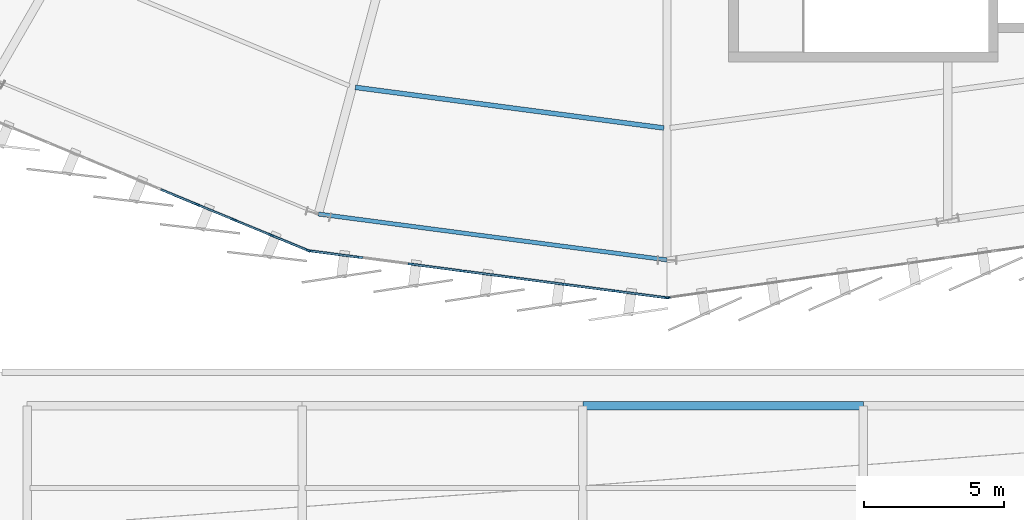
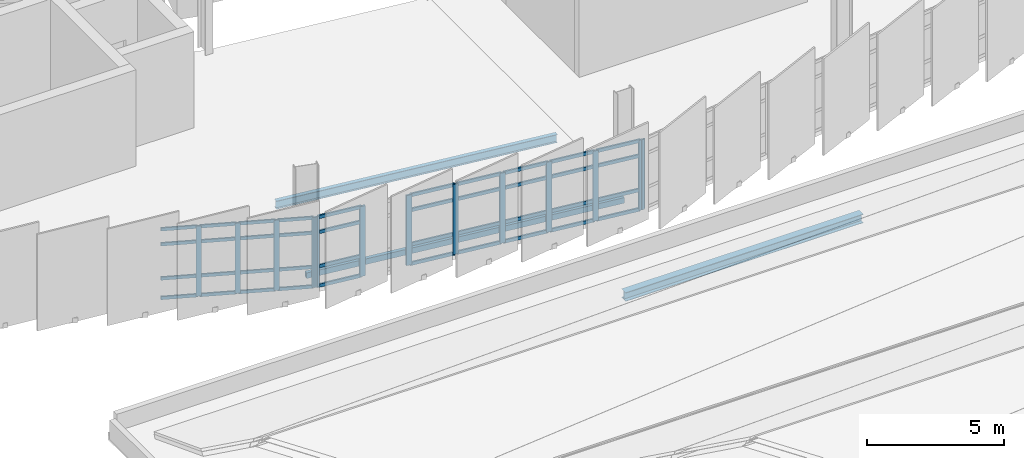
# One storey, part 13 of 67: 53 members, 3 beams, 3 elements without a shape of their own.
"""IFC4 building model written with IfcOpenShell, lengths in metres."""

from ifc_helpers import new_model, si_unit, direction, frame, origin, origin_2d, place, context, subcontext, project, spatial, rectangle, hollow_rectangle, i_section, extrude, material, layer, layer_set, material_profile, profile_set, type_object, element, aggregate, save


model = new_model("IFC4")

# Units and contexts
model_context = context("Model", 3, precision=1e-05, world=origin(), true_north=direction((0.0, 1.0)))
body_context = subcontext(model_context, "Body", "Model", "MODEL_VIEW")
ifc_project = project(units=[si_unit("LENGTHUNIT", "METRE"), si_unit("AREAUNIT", "SQUARE_METRE"), si_unit("VOLUMEUNIT", "CUBIC_METRE"), si_unit("PLANEANGLEUNIT", "RADIAN"), si_unit("MASSUNIT", "GRAM", prefix="KILO")], contexts=[model_context])

# Site, building, storey
site_placement = place(None, origin())
site = spatial("IfcSite", under=ifc_project, at=site_placement, CompositionType="ELEMENT")
building_placement = place(site_placement, origin())
building = spatial("IfcBuilding", under=site, at=building_placement, Name="Sohan Crest Arena", CompositionType="ELEMENT")
storey_placement = place(building_placement, frame((0.0, 0.0, 22.5)))
storey = spatial("IfcBuildingStorey", under=building, at=storey_placement, Name="L05", CompositionType="ELEMENT", Elevation=22.5)

# Curtain wall, member
ifc_material_1 = material(Name="Thermally broken anodised aluminium", Category="aluminium")
ifc_layer_1 = layer(ifc_material_1, 0.179931640625, Name="Thermally broken anodised aluminium")
ifc_layer_set_1 = layer_set([ifc_layer_1], Name="Thermally broken anodised aluminium")
curtain_wall_type_1 = type_object("IfcCurtainWallType", Name="ARC-CW01", PredefinedType="NOTDEFINED", material=ifc_layer_set_1)
curtain_wall_1_placement = place(storey_placement, origin())
curtain_wall_1 = element("IfcCurtainWall", 1, at=curtain_wall_1_placement, inside=storey, type_object=curtain_wall_type_1, Name="Unitised curtain wall CW-158", PredefinedType="NOTDEFINED")
ifc_material_profile_1 = material_profile(ifc_material_1, rectangle(XDim=0.06005859375, YDim=0.159912109375, at=origin_2d()), Name="ALU-MULL 60x160")
ifc_profile_set_1 = profile_set([ifc_material_profile_1], Name="Thermally broken anodised aluminium")
member_type_1 = type_object("IfcMemberType", Name="ARC-CW-ML01", PredefinedType="MULLION", material=ifc_profile_set_1)
member_1_placement = place(storey_placement, frame((98.02978515625, 28.654296875, 0.0), z_axis=(0.0, 0.0, 1.0), x_axis=(-0.141462933734, 0.989943553128, 0.0)))
member_1 = element("IfcMember", 2, at=member_1_placement, type_object=member_type_1, Name="CW-158 mullion 1", PredefinedType="MULLION", context=body_context, shape_type="SweptSolid", body=[
    extrude(rectangle(XDim=0.06005859375, YDim=0.159912109375, at=origin_2d()), origin(), (0.0, 0.0, 1.0), 3.1201171875),
])
aggregate(curtain_wall_1, [member_1])

# Curtain wall, members
ifc_layer_2 = layer(ifc_material_1, 0.18994140625, Name="Thermally broken anodised aluminium")
ifc_layer_set_2 = layer_set([ifc_layer_2], Name="Thermally broken anodised aluminium")
curtain_wall_type_2 = type_object("IfcCurtainWallType", Name="ARC-CW05", PredefinedType="NOTDEFINED", material=ifc_layer_set_2)
curtain_wall_2_placement = place(storey_placement, origin())
curtain_wall_2 = element("IfcCurtainWall", 3, at=curtain_wall_2_placement, inside=storey, type_object=curtain_wall_type_2, Name="Unitised curtain wall CW-156", PredefinedType="NOTDEFINED")
ifc_material_profile_2 = material_profile(ifc_material_1, rectangle(XDim=0.070068359375, YDim=0.199951171875, at=origin_2d()), Name="ALU-MULL 70x200")
ifc_profile_set_2 = profile_set([ifc_material_profile_2], Name="Thermally broken anodised aluminium")
member_type_2 = type_object("IfcMemberType", Name="ARC-CW-ML03", PredefinedType="MULLION", material=ifc_profile_set_2)
member_2_placement = place(storey_placement, frame((81.259765625, 31.975341796875, 0.0), z_axis=(0.0, 0.0, 1.0), x_axis=(0.382685432009, 0.923878704229, 0.0)))
member_2 = element("IfcMember", 4, at=member_2_placement, type_object=member_type_2, Name="CW-156 mullion 7", PredefinedType="MULLION", context=body_context, shape_type="SweptSolid", body=[
    extrude(rectangle(XDim=0.070068359375, YDim=0.199951171875, at=origin_2d()), origin(), (0.0, 0.0, 1.0), 3.1201171875),
])
member_3_placement = place(storey_placement, frame((82.58203125, 31.427490234375, 0.0), z_axis=(0.0, 0.0, 1.0), x_axis=(0.382685432009, 0.923878704229, 0.0)))
member_3 = element("IfcMember", 5, at=member_3_placement, type_object=member_type_2, Name="CW-156 mullion 8", PredefinedType="MULLION", context=body_context, shape_type="SweptSolid", body=[
    extrude(rectangle(XDim=0.070068359375, YDim=0.199951171875, at=origin_2d()), origin(), (0.0, 0.0, 1.0), 3.1201171875),
])
member_4_placement = place(storey_placement, frame((83.904541015625, 30.8798828125, 0.0), z_axis=(0.0, 0.0, 1.0), x_axis=(0.382685432009, 0.923878704229, 0.0)))
member_4 = element("IfcMember", 6, at=member_4_placement, type_object=member_type_2, Name="CW-156 mullion 9", PredefinedType="MULLION", context=body_context, shape_type="SweptSolid", body=[
    extrude(rectangle(XDim=0.070068359375, YDim=0.199951171875, at=origin_2d()), origin(), (0.0, 0.0, 1.0), 3.1201171875),
])
member_5_placement = place(storey_placement, frame((85.194580078125, 30.345458984375, 0.0), z_axis=(0.0, 0.0, 1.0), x_axis=(0.382685432009, 0.923878704229, 0.0)))
member_5 = element("IfcMember", 7, at=member_5_placement, type_object=member_type_2, Name="CW-156 mullion 10", PredefinedType="MULLION", context=body_context, shape_type="SweptSolid", body=[
    extrude(rectangle(XDim=0.070068359375, YDim=0.199951171875, at=origin_2d()), origin(), (0.0, 0.0, 1.0), 3.1201171875),
])

ifc_layer_3 = layer(ifc_material_1, 0.2099609375, Name="Thermally broken anodised aluminium")
ifc_layer_set_3 = layer_set([ifc_layer_3], Name="Thermally broken anodised aluminium")
curtain_wall_type_3 = type_object("IfcCurtainWallType", Name="ARC-CW06", PredefinedType="NOTDEFINED", material=ifc_layer_set_3)
curtain_wall_3_placement = place(storey_placement, origin())
curtain_wall_3 = element("IfcCurtainWall", 8, at=curtain_wall_3_placement, inside=storey, type_object=curtain_wall_type_3, Name="Unitised curtain wall CW-157", PredefinedType="NOTDEFINED")
ifc_material_profile_3 = material_profile(ifc_material_1, rectangle(XDim=0.074951171875, YDim=0.219970703125, at=origin_2d()), Name="ALU-MULL 75x220")
ifc_profile_set_3 = profile_set([ifc_material_profile_3], Name="Thermally broken anodised aluminium")
member_type_3 = type_object("IfcMemberType", Name="ARC-CW-ML04", PredefinedType="MULLION", material=ifc_profile_set_3)
member_6_placement = place(storey_placement, frame((85.26416015625, 30.3271484375, 0.0), z_axis=(0.0, 0.0, 1.0), x_axis=(0.130556913275, 0.991440816386, 0.0)))
member_6 = element("IfcMember", 9, at=member_6_placement, type_object=member_type_3, Name="CW-157 mullion 1", PredefinedType="MULLION", context=body_context, shape_type="SweptSolid", body=[
    extrude(rectangle(XDim=0.074951171875, YDim=0.219970703125, at=origin_2d()), origin(), (0.0, 0.0, 1.0), 3.1201171875),
])
member_7_placement = place(storey_placement, frame((87.0517578125, 30.091796875, 0.0), z_axis=(0.0, 0.0, 1.0), x_axis=(0.130556913275, 0.991440816386, 0.0)))
member_7 = element("IfcMember", 10, at=member_7_placement, type_object=member_type_3, Name="CW-157 mullion 2", PredefinedType="MULLION", context=body_context, shape_type="SweptSolid", body=[
    extrude(rectangle(XDim=0.074951171875, YDim=0.219970703125, at=origin_2d()), origin(), (0.0, 0.0, 1.0), 3.1201171875),
])
member_8_placement = place(storey_placement, frame((88.87646484375, 29.851318359375, 0.0), z_axis=(0.0, 0.0, 1.0), x_axis=(0.130556913275, 0.991440816386, 0.0)))
member_8 = element("IfcMember", 11, at=member_8_placement, type_object=member_type_3, Name="CW-157 mullion 3", PredefinedType="MULLION", context=body_context, shape_type="SweptSolid", body=[
    extrude(rectangle(XDim=0.074951171875, YDim=0.219970703125, at=origin_2d()), origin(), (0.0, 0.0, 1.0), 3.1201171875),
])
member_9_placement = place(storey_placement, frame((90.701171875, 29.611083984375, 0.0), z_axis=(0.0, 0.0, 1.0), x_axis=(0.130556913275, 0.991440816386, 0.0)))
member_9 = element("IfcMember", 12, at=member_9_placement, type_object=member_type_3, Name="CW-157 mullion 4", PredefinedType="MULLION", context=body_context, shape_type="SweptSolid", body=[
    extrude(rectangle(XDim=0.074951171875, YDim=0.219970703125, at=origin_2d()), origin(), (0.0, 0.0, 1.0), 3.1201171875),
])
member_10_placement = place(storey_placement, frame((92.52587890625, 29.370849609375, 0.0), z_axis=(0.0, 0.0, 1.0), x_axis=(0.130556913275, 0.991440816386, 0.0)))
member_10 = element("IfcMember", 13, at=member_10_placement, type_object=member_type_3, Name="CW-157 mullion 5", PredefinedType="MULLION", context=body_context, shape_type="SweptSolid", body=[
    extrude(rectangle(XDim=0.074951171875, YDim=0.219970703125, at=origin_2d()), origin(), (0.0, 0.0, 1.0), 3.1201171875),
])
member_11_placement = place(storey_placement, frame((94.3505859375, 29.130615234375, 0.0), z_axis=(0.0, 0.0, 1.0), x_axis=(0.130556913275, 0.991440816386, 0.0)))
member_11 = element("IfcMember", 14, at=member_11_placement, type_object=member_type_3, Name="CW-157 mullion 6", PredefinedType="MULLION", context=body_context, shape_type="SweptSolid", body=[
    extrude(rectangle(XDim=0.074951171875, YDim=0.219970703125, at=origin_2d()), origin(), (0.0, 0.0, 1.0), 3.1201171875),
])
member_12_placement = place(storey_placement, frame((96.17529296875, 28.890380859375, 0.0), z_axis=(0.0, 0.0, 1.0), x_axis=(0.130556913275, 0.991440816386, 0.0)))
member_12 = element("IfcMember", 15, at=member_12_placement, type_object=member_type_3, Name="CW-157 mullion 7", PredefinedType="MULLION", context=body_context, shape_type="SweptSolid", body=[
    extrude(rectangle(XDim=0.074951171875, YDim=0.219970703125, at=origin_2d()), origin(), (0.0, 0.0, 1.0), 3.1201171875),
])
member_13_placement = place(storey_placement, frame((97.962890625, 28.65478515625, 0.0), z_axis=(0.0, 0.0, 1.0), x_axis=(0.130556913275, 0.991440816386, 0.0)))
member_13 = element("IfcMember", 16, at=member_13_placement, type_object=member_type_3, Name="CW-157 mullion 8", PredefinedType="MULLION", context=body_context, shape_type="SweptSolid", body=[
    extrude(rectangle(XDim=0.074951171875, YDim=0.219970703125, at=origin_2d()), origin(), (0.0, 0.0, 1.0), 3.1201171875),
])

# Member
ifc_material_profile_4 = material_profile(ifc_material_1, rectangle(XDim=0.06494140625, YDim=0.139892578125, at=origin_2d()), Name="ALU-TRAN 65x140")
ifc_profile_set_4 = profile_set([ifc_material_profile_4], Name="Thermally broken anodised aluminium")
member_type_4 = type_object("IfcMemberType", Name="ARC-CW-TR02", PredefinedType="USERDEFINED", material=ifc_profile_set_4)
member_14_placement = place(storey_placement, frame((79.969482421875, 32.509765625, 0.032470703125), z_axis=(0.923881325056, -0.38267910475, 0.0), x_axis=(0.38267910475, 0.923881325056, 0.0)))
member_14 = element("IfcMember", 17, at=member_14_placement, type_object=member_type_4, Name="CW-156 transom 6.1", ObjectType="TRANSOM", PredefinedType="USERDEFINED", context=body_context, shape_type="SweptSolid", body=[
    extrude(rectangle(XDim=0.06494140625, YDim=0.139892578125, at=origin_2d()), origin(), (0.0, 0.0, 1.0), 1.361328125),
])

member_15_placement = place(storey_placement, frame((79.969482421875, 32.509765625, 0.89990234375), z_axis=(0.923881325056, -0.38267910475, 0.0), x_axis=(0.38267910475, 0.923881325056, 0.0)))
member_15 = element("IfcMember", 18, at=member_15_placement, type_object=member_type_4, Name="CW-156 transom 6.2", ObjectType="TRANSOM", PredefinedType="USERDEFINED", context=body_context, shape_type="SweptSolid", body=[
    extrude(rectangle(XDim=0.06494140625, YDim=0.139892578125, at=origin_2d()), origin(), (0.0, 0.0, 1.0), 1.361328125),
])

member_16_placement = place(storey_placement, frame((79.969482421875, 32.509765625, 2.419921875), z_axis=(0.923881325056, -0.38267910475, 0.0), x_axis=(0.38267910475, 0.923881325056, 0.0)))
member_16 = element("IfcMember", 19, at=member_16_placement, type_object=member_type_4, Name="CW-156 transom 6.3", ObjectType="TRANSOM", PredefinedType="USERDEFINED", context=body_context, shape_type="SweptSolid", body=[
    extrude(rectangle(XDim=0.06494140625, YDim=0.139892578125, at=origin_2d()), origin(), (0.0, 0.0, 1.0), 1.361328125),
])

member_17_placement = place(storey_placement, frame((79.969482421875, 32.509765625, 3.08740234375), z_axis=(0.923881325056, -0.38267910475, 0.0), x_axis=(0.38267910475, 0.923881325056, 0.0)))
member_17 = element("IfcMember", 20, at=member_17_placement, type_object=member_type_4, Name="CW-156 transom 6.4", ObjectType="TRANSOM", PredefinedType="USERDEFINED", context=body_context, shape_type="SweptSolid", body=[
    extrude(rectangle(XDim=0.06494140625, YDim=0.139892578125, at=origin_2d()), origin(), (0.0, 0.0, 1.0), 1.361328125),
])

member_18_placement = place(storey_placement, frame((81.2919921875, 31.9619140625, 0.032470703125), z_axis=(0.923881325056, -0.38267910475, 0.0), x_axis=(0.38267910475, 0.923881325056, 0.0)))
member_18 = element("IfcMember", 21, at=member_18_placement, type_object=member_type_4, Name="CW-156 transom 7.1", ObjectType="TRANSOM", PredefinedType="USERDEFINED", context=body_context, shape_type="SweptSolid", body=[
    extrude(rectangle(XDim=0.06494140625, YDim=0.139892578125, at=origin_2d()), origin(), (0.0, 0.0, 1.0), 1.361328125),
])

member_19_placement = place(storey_placement, frame((81.2919921875, 31.9619140625, 0.89990234375), z_axis=(0.923881325056, -0.38267910475, 0.0), x_axis=(0.38267910475, 0.923881325056, 0.0)))
member_19 = element("IfcMember", 22, at=member_19_placement, type_object=member_type_4, Name="CW-156 transom 7.2", ObjectType="TRANSOM", PredefinedType="USERDEFINED", context=body_context, shape_type="SweptSolid", body=[
    extrude(rectangle(XDim=0.06494140625, YDim=0.139892578125, at=origin_2d()), origin(), (0.0, 0.0, 1.0), 1.361328125),
])

member_20_placement = place(storey_placement, frame((81.2919921875, 31.9619140625, 2.419921875), z_axis=(0.923881325056, -0.38267910475, 0.0), x_axis=(0.38267910475, 0.923881325056, 0.0)))
member_20 = element("IfcMember", 23, at=member_20_placement, type_object=member_type_4, Name="CW-156 transom 7.3", ObjectType="TRANSOM", PredefinedType="USERDEFINED", context=body_context, shape_type="SweptSolid", body=[
    extrude(rectangle(XDim=0.06494140625, YDim=0.139892578125, at=origin_2d()), origin(), (0.0, 0.0, 1.0), 1.361328125),
])

member_21_placement = place(storey_placement, frame((81.2919921875, 31.9619140625, 3.08740234375), z_axis=(0.923881325056, -0.38267910475, 0.0), x_axis=(0.38267910475, 0.923881325056, 0.0)))
member_21 = element("IfcMember", 24, at=member_21_placement, type_object=member_type_4, Name="CW-156 transom 7.4", ObjectType="TRANSOM", PredefinedType="USERDEFINED", context=body_context, shape_type="SweptSolid", body=[
    extrude(rectangle(XDim=0.06494140625, YDim=0.139892578125, at=origin_2d()), origin(), (0.0, 0.0, 1.0), 1.361328125),
])

member_22_placement = place(storey_placement, frame((82.614501953125, 31.4140625, 0.032470703125), z_axis=(0.923881325056, -0.38267910475, 0.0), x_axis=(0.38267910475, 0.923881325056, 0.0)))
member_22 = element("IfcMember", 25, at=member_22_placement, type_object=member_type_4, Name="CW-156 transom 8.1", ObjectType="TRANSOM", PredefinedType="USERDEFINED", context=body_context, shape_type="SweptSolid", body=[
    extrude(rectangle(XDim=0.06494140625, YDim=0.139892578125, at=origin_2d()), origin(), (0.0, 0.0, 1.0), 1.361328125),
])

member_23_placement = place(storey_placement, frame((82.614501953125, 31.4140625, 0.89990234375), z_axis=(0.923881325056, -0.38267910475, 0.0), x_axis=(0.38267910475, 0.923881325056, 0.0)))
member_23 = element("IfcMember", 26, at=member_23_placement, type_object=member_type_4, Name="CW-156 transom 8.2", ObjectType="TRANSOM", PredefinedType="USERDEFINED", context=body_context, shape_type="SweptSolid", body=[
    extrude(rectangle(XDim=0.06494140625, YDim=0.139892578125, at=origin_2d()), origin(), (0.0, 0.0, 1.0), 1.361328125),
])

member_24_placement = place(storey_placement, frame((82.614501953125, 31.4140625, 2.419921875), z_axis=(0.923881325056, -0.38267910475, 0.0), x_axis=(0.38267910475, 0.923881325056, 0.0)))
member_24 = element("IfcMember", 27, at=member_24_placement, type_object=member_type_4, Name="CW-156 transom 8.3", ObjectType="TRANSOM", PredefinedType="USERDEFINED", context=body_context, shape_type="SweptSolid", body=[
    extrude(rectangle(XDim=0.06494140625, YDim=0.139892578125, at=origin_2d()), origin(), (0.0, 0.0, 1.0), 1.361328125),
])

member_25_placement = place(storey_placement, frame((82.614501953125, 31.4140625, 3.08740234375), z_axis=(0.923881325056, -0.38267910475, 0.0), x_axis=(0.38267910475, 0.923881325056, 0.0)))
member_25 = element("IfcMember", 28, at=member_25_placement, type_object=member_type_4, Name="CW-156 transom 8.4", ObjectType="TRANSOM", PredefinedType="USERDEFINED", context=body_context, shape_type="SweptSolid", body=[
    extrude(rectangle(XDim=0.06494140625, YDim=0.139892578125, at=origin_2d()), origin(), (0.0, 0.0, 1.0), 1.361328125),
])

member_26_placement = place(storey_placement, frame((83.93701171875, 30.866455078125, 0.032470703125), z_axis=(0.923875488976, -0.382693194178, 0.0), x_axis=(0.382693194178, 0.923875488976, 0.0)))
member_26 = element("IfcMember", 29, at=member_26_placement, type_object=member_type_4, Name="CW-156 transom 9.1", ObjectType="TRANSOM", PredefinedType="USERDEFINED", context=body_context, shape_type="SweptSolid", body=[
    extrude(rectangle(XDim=0.06494140625, YDim=0.139892578125, at=origin_2d()), origin(), (0.0, 0.0, 1.0), 1.326416015625),
])

member_27_placement = place(storey_placement, frame((83.93701171875, 30.866455078125, 0.89990234375), z_axis=(0.923875488976, -0.382693194178, 0.0), x_axis=(0.382693194178, 0.923875488976, 0.0)))
member_27 = element("IfcMember", 30, at=member_27_placement, type_object=member_type_4, Name="CW-156 transom 9.2", ObjectType="TRANSOM", PredefinedType="USERDEFINED", context=body_context, shape_type="SweptSolid", body=[
    extrude(rectangle(XDim=0.06494140625, YDim=0.139892578125, at=origin_2d()), origin(), (0.0, 0.0, 1.0), 1.326416015625),
])

member_28_placement = place(storey_placement, frame((83.93701171875, 30.866455078125, 2.419921875), z_axis=(0.923875488976, -0.382693194178, 0.0), x_axis=(0.382693194178, 0.923875488976, 0.0)))
member_28 = element("IfcMember", 31, at=member_28_placement, type_object=member_type_4, Name="CW-156 transom 9.3", ObjectType="TRANSOM", PredefinedType="USERDEFINED", context=body_context, shape_type="SweptSolid", body=[
    extrude(rectangle(XDim=0.06494140625, YDim=0.139892578125, at=origin_2d()), origin(), (0.0, 0.0, 1.0), 1.326416015625),
])

member_29_placement = place(storey_placement, frame((83.93701171875, 30.866455078125, 3.08740234375), z_axis=(0.923875488976, -0.382693194178, 0.0), x_axis=(0.382693194178, 0.923875488976, 0.0)))
member_29 = element("IfcMember", 32, at=member_29_placement, type_object=member_type_4, Name="CW-156 transom 9.4", ObjectType="TRANSOM", PredefinedType="USERDEFINED", context=body_context, shape_type="SweptSolid", body=[
    extrude(rectangle(XDim=0.06494140625, YDim=0.139892578125, at=origin_2d()), origin(), (0.0, 0.0, 1.0), 1.326416015625),
])

aggregate(curtain_wall_2, [member_2, member_3, member_4, member_5, member_14, member_15, member_16, member_17, member_18, member_19, member_20, member_21, member_22, member_23, member_24, member_25, member_26, member_27, member_28, member_29])

ifc_material_profile_5 = material_profile(ifc_material_1, rectangle(XDim=0.070068359375, YDim=0.14990234375, at=origin_2d()), Name="ALU-TRAN 70x150")
ifc_profile_set_5 = profile_set([ifc_material_profile_5], Name="Thermally broken anodised aluminium")
member_type_5 = type_object("IfcMemberType", Name="ARC-CW-TR03", PredefinedType="USERDEFINED", material=ifc_profile_set_5)
member_30_placement = place(storey_placement, frame((85.30126953125, 30.322265625, 0.034912109375), z_axis=(0.991443713746, -0.13053490902, 0.0), x_axis=(0.13053490902, 0.991443713746, 0.0)))
member_30 = element("IfcMember", 33, at=member_30_placement, type_object=member_type_5, Name="CW-157 transom 1.1", ObjectType="TRANSOM", PredefinedType="USERDEFINED", context=body_context, shape_type="SweptSolid", body=[
    extrude(rectangle(XDim=0.070068359375, YDim=0.14990234375, at=origin_2d()), origin(), (0.0, 0.0, 1.0), 1.728271484375),
])

member_31_placement = place(storey_placement, frame((85.30126953125, 30.322265625, 0.89990234375), z_axis=(0.991443713746, -0.13053490902, 0.0), x_axis=(0.13053490902, 0.991443713746, 0.0)))
member_31 = element("IfcMember", 34, at=member_31_placement, type_object=member_type_5, Name="CW-157 transom 1.2", ObjectType="TRANSOM", PredefinedType="USERDEFINED", context=body_context, shape_type="SweptSolid", body=[
    extrude(rectangle(XDim=0.070068359375, YDim=0.14990234375, at=origin_2d()), origin(), (0.0, 0.0, 1.0), 1.728271484375),
])

member_32_placement = place(storey_placement, frame((85.30126953125, 30.322265625, 2.419921875), z_axis=(0.991443713746, -0.13053490902, 0.0), x_axis=(0.13053490902, 0.991443713746, 0.0)))
member_32 = element("IfcMember", 35, at=member_32_placement, type_object=member_type_5, Name="CW-157 transom 1.3", ObjectType="TRANSOM", PredefinedType="USERDEFINED", context=body_context, shape_type="SweptSolid", body=[
    extrude(rectangle(XDim=0.070068359375, YDim=0.14990234375, at=origin_2d()), origin(), (0.0, 0.0, 1.0), 1.728271484375),
])

member_33_placement = place(storey_placement, frame((85.30126953125, 30.322265625, 3.0849609375), z_axis=(0.991443713746, -0.13053490902, 0.0), x_axis=(0.13053490902, 0.991443713746, 0.0)))
member_33 = element("IfcMember", 36, at=member_33_placement, type_object=member_type_5, Name="CW-157 transom 1.4", ObjectType="TRANSOM", PredefinedType="USERDEFINED", context=body_context, shape_type="SweptSolid", body=[
    extrude(rectangle(XDim=0.070068359375, YDim=0.14990234375, at=origin_2d()), origin(), (0.0, 0.0, 1.0), 1.728271484375),
])

member_34_placement = place(storey_placement, frame((88.91357421875, 29.846435546875, 0.034912109375), z_axis=(0.99144393814, -0.130533204687, 0.0), x_axis=(0.130533204687, 0.99144393814, 0.0)))
member_34 = element("IfcMember", 37, at=member_34_placement, type_object=member_type_5, Name="CW-157 transom 3.1", ObjectType="TRANSOM", PredefinedType="USERDEFINED", context=body_context, shape_type="SweptSolid", body=[
    extrude(rectangle(XDim=0.070068359375, YDim=0.14990234375, at=origin_2d()), origin(), (0.0, 0.0, 1.0), 1.765625),
])

member_35_placement = place(storey_placement, frame((88.91357421875, 29.846435546875, 0.89990234375), z_axis=(0.99144393814, -0.130533204687, 0.0), x_axis=(0.130533204687, 0.99144393814, 0.0)))
member_35 = element("IfcMember", 38, at=member_35_placement, type_object=member_type_5, Name="CW-157 transom 3.2", ObjectType="TRANSOM", PredefinedType="USERDEFINED", context=body_context, shape_type="SweptSolid", body=[
    extrude(rectangle(XDim=0.070068359375, YDim=0.14990234375, at=origin_2d()), origin(), (0.0, 0.0, 1.0), 1.765625),
])

member_36_placement = place(storey_placement, frame((88.91357421875, 29.846435546875, 2.419921875), z_axis=(0.99144393814, -0.130533204687, 0.0), x_axis=(0.130533204687, 0.99144393814, 0.0)))
member_36 = element("IfcMember", 39, at=member_36_placement, type_object=member_type_5, Name="CW-157 transom 3.3", ObjectType="TRANSOM", PredefinedType="USERDEFINED", context=body_context, shape_type="SweptSolid", body=[
    extrude(rectangle(XDim=0.070068359375, YDim=0.14990234375, at=origin_2d()), origin(), (0.0, 0.0, 1.0), 1.765625),
])

member_37_placement = place(storey_placement, frame((88.91357421875, 29.846435546875, 3.0849609375), z_axis=(0.99144393814, -0.130533204687, 0.0), x_axis=(0.130533204687, 0.99144393814, 0.0)))
member_37 = element("IfcMember", 40, at=member_37_placement, type_object=member_type_5, Name="CW-157 transom 3.4", ObjectType="TRANSOM", PredefinedType="USERDEFINED", context=body_context, shape_type="SweptSolid", body=[
    extrude(rectangle(XDim=0.070068359375, YDim=0.14990234375, at=origin_2d()), origin(), (0.0, 0.0, 1.0), 1.765625),
])

member_38_placement = place(storey_placement, frame((90.73828125, 29.606201171875, 0.034912109375), z_axis=(0.99144393814, -0.130533204687, 0.0), x_axis=(0.130533204687, 0.99144393814, 0.0)))
member_38 = element("IfcMember", 41, at=member_38_placement, type_object=member_type_5, Name="CW-157 transom 4.1", ObjectType="TRANSOM", PredefinedType="USERDEFINED", context=body_context, shape_type="SweptSolid", body=[
    extrude(rectangle(XDim=0.070068359375, YDim=0.14990234375, at=origin_2d()), origin(), (0.0, 0.0, 1.0), 1.765625),
])

member_39_placement = place(storey_placement, frame((90.73828125, 29.606201171875, 0.89990234375), z_axis=(0.99144393814, -0.130533204687, 0.0), x_axis=(0.130533204687, 0.99144393814, 0.0)))
member_39 = element("IfcMember", 42, at=member_39_placement, type_object=member_type_5, Name="CW-157 transom 4.2", ObjectType="TRANSOM", PredefinedType="USERDEFINED", context=body_context, shape_type="SweptSolid", body=[
    extrude(rectangle(XDim=0.070068359375, YDim=0.14990234375, at=origin_2d()), origin(), (0.0, 0.0, 1.0), 1.765625),
])

member_40_placement = place(storey_placement, frame((90.73828125, 29.606201171875, 2.419921875), z_axis=(0.99144393814, -0.130533204687, 0.0), x_axis=(0.130533204687, 0.99144393814, 0.0)))
member_40 = element("IfcMember", 43, at=member_40_placement, type_object=member_type_5, Name="CW-157 transom 4.3", ObjectType="TRANSOM", PredefinedType="USERDEFINED", context=body_context, shape_type="SweptSolid", body=[
    extrude(rectangle(XDim=0.070068359375, YDim=0.14990234375, at=origin_2d()), origin(), (0.0, 0.0, 1.0), 1.765625),
])

member_41_placement = place(storey_placement, frame((90.73828125, 29.606201171875, 3.0849609375), z_axis=(0.99144393814, -0.130533204687, 0.0), x_axis=(0.130533204687, 0.99144393814, 0.0)))
member_41 = element("IfcMember", 44, at=member_41_placement, type_object=member_type_5, Name="CW-157 transom 4.4", ObjectType="TRANSOM", PredefinedType="USERDEFINED", context=body_context, shape_type="SweptSolid", body=[
    extrude(rectangle(XDim=0.070068359375, YDim=0.14990234375, at=origin_2d()), origin(), (0.0, 0.0, 1.0), 1.765625),
])

member_42_placement = place(storey_placement, frame((92.56298828125, 29.365966796875, 0.034912109375), z_axis=(0.99144393814, -0.130533204687, 0.0), x_axis=(0.130533204687, 0.99144393814, 0.0)))
member_42 = element("IfcMember", 45, at=member_42_placement, type_object=member_type_5, Name="CW-157 transom 5.1", ObjectType="TRANSOM", PredefinedType="USERDEFINED", context=body_context, shape_type="SweptSolid", body=[
    extrude(rectangle(XDim=0.070068359375, YDim=0.14990234375, at=origin_2d()), origin(), (0.0, 0.0, 1.0), 1.765625),
])

member_43_placement = place(storey_placement, frame((92.56298828125, 29.365966796875, 0.89990234375), z_axis=(0.99144393814, -0.130533204687, 0.0), x_axis=(0.130533204687, 0.99144393814, 0.0)))
member_43 = element("IfcMember", 46, at=member_43_placement, type_object=member_type_5, Name="CW-157 transom 5.2", ObjectType="TRANSOM", PredefinedType="USERDEFINED", context=body_context, shape_type="SweptSolid", body=[
    extrude(rectangle(XDim=0.070068359375, YDim=0.14990234375, at=origin_2d()), origin(), (0.0, 0.0, 1.0), 1.765625),
])

member_44_placement = place(storey_placement, frame((92.56298828125, 29.365966796875, 2.419921875), z_axis=(0.99144393814, -0.130533204687, 0.0), x_axis=(0.130533204687, 0.99144393814, 0.0)))
member_44 = element("IfcMember", 47, at=member_44_placement, type_object=member_type_5, Name="CW-157 transom 5.3", ObjectType="TRANSOM", PredefinedType="USERDEFINED", context=body_context, shape_type="SweptSolid", body=[
    extrude(rectangle(XDim=0.070068359375, YDim=0.14990234375, at=origin_2d()), origin(), (0.0, 0.0, 1.0), 1.765625),
])

member_45_placement = place(storey_placement, frame((92.56298828125, 29.365966796875, 3.0849609375), z_axis=(0.99144393814, -0.130533204687, 0.0), x_axis=(0.130533204687, 0.99144393814, 0.0)))
member_45 = element("IfcMember", 48, at=member_45_placement, type_object=member_type_5, Name="CW-157 transom 5.4", ObjectType="TRANSOM", PredefinedType="USERDEFINED", context=body_context, shape_type="SweptSolid", body=[
    extrude(rectangle(XDim=0.070068359375, YDim=0.14990234375, at=origin_2d()), origin(), (0.0, 0.0, 1.0), 1.765625),
])

member_46_placement = place(storey_placement, frame((94.3876953125, 29.125732421875, 0.034912109375), z_axis=(0.99144393814, -0.130533204687, 0.0), x_axis=(0.130533204687, 0.99144393814, 0.0)))
member_46 = element("IfcMember", 49, at=member_46_placement, type_object=member_type_5, Name="CW-157 transom 6.1", ObjectType="TRANSOM", PredefinedType="USERDEFINED", context=body_context, shape_type="SweptSolid", body=[
    extrude(rectangle(XDim=0.070068359375, YDim=0.14990234375, at=origin_2d()), origin(), (0.0, 0.0, 1.0), 1.765625),
])

member_47_placement = place(storey_placement, frame((94.3876953125, 29.125732421875, 0.89990234375), z_axis=(0.99144393814, -0.130533204687, 0.0), x_axis=(0.130533204687, 0.99144393814, 0.0)))
member_47 = element("IfcMember", 50, at=member_47_placement, type_object=member_type_5, Name="CW-157 transom 6.2", ObjectType="TRANSOM", PredefinedType="USERDEFINED", context=body_context, shape_type="SweptSolid", body=[
    extrude(rectangle(XDim=0.070068359375, YDim=0.14990234375, at=origin_2d()), origin(), (0.0, 0.0, 1.0), 1.765625),
])

member_48_placement = place(storey_placement, frame((94.3876953125, 29.125732421875, 2.419921875), z_axis=(0.99144393814, -0.130533204687, 0.0), x_axis=(0.130533204687, 0.99144393814, 0.0)))
member_48 = element("IfcMember", 51, at=member_48_placement, type_object=member_type_5, Name="CW-157 transom 6.3", ObjectType="TRANSOM", PredefinedType="USERDEFINED", context=body_context, shape_type="SweptSolid", body=[
    extrude(rectangle(XDim=0.070068359375, YDim=0.14990234375, at=origin_2d()), origin(), (0.0, 0.0, 1.0), 1.765625),
])

member_49_placement = place(storey_placement, frame((94.3876953125, 29.125732421875, 3.0849609375), z_axis=(0.99144393814, -0.130533204687, 0.0), x_axis=(0.130533204687, 0.99144393814, 0.0)))
member_49 = element("IfcMember", 52, at=member_49_placement, type_object=member_type_5, Name="CW-157 transom 6.4", ObjectType="TRANSOM", PredefinedType="USERDEFINED", context=body_context, shape_type="SweptSolid", body=[
    extrude(rectangle(XDim=0.070068359375, YDim=0.14990234375, at=origin_2d()), origin(), (0.0, 0.0, 1.0), 1.765625),
])

member_50_placement = place(storey_placement, frame((96.21240234375, 28.885498046875, 0.034912109375), z_axis=(0.991441306063, -0.130553194642, 0.0), x_axis=(0.130553194642, 0.991441306063, 0.0)))
member_50 = element("IfcMember", 53, at=member_50_placement, type_object=member_type_5, Name="CW-157 transom 7.1", ObjectType="TRANSOM", PredefinedType="USERDEFINED", context=body_context, shape_type="SweptSolid", body=[
    extrude(rectangle(XDim=0.070068359375, YDim=0.14990234375, at=origin_2d()), origin(), (0.0, 0.0, 1.0), 1.72802734375),
])

member_51_placement = place(storey_placement, frame((96.21240234375, 28.885498046875, 0.89990234375), z_axis=(0.991441306063, -0.130553194642, 0.0), x_axis=(0.130553194642, 0.991441306063, 0.0)))
member_51 = element("IfcMember", 54, at=member_51_placement, type_object=member_type_5, Name="CW-157 transom 7.2", ObjectType="TRANSOM", PredefinedType="USERDEFINED", context=body_context, shape_type="SweptSolid", body=[
    extrude(rectangle(XDim=0.070068359375, YDim=0.14990234375, at=origin_2d()), origin(), (0.0, 0.0, 1.0), 1.72802734375),
])

member_52_placement = place(storey_placement, frame((96.21240234375, 28.885498046875, 2.419921875), z_axis=(0.991441306063, -0.130553194642, 0.0), x_axis=(0.130553194642, 0.991441306063, 0.0)))
member_52 = element("IfcMember", 55, at=member_52_placement, type_object=member_type_5, Name="CW-157 transom 7.3", ObjectType="TRANSOM", PredefinedType="USERDEFINED", context=body_context, shape_type="SweptSolid", body=[
    extrude(rectangle(XDim=0.070068359375, YDim=0.14990234375, at=origin_2d()), origin(), (0.0, 0.0, 1.0), 1.72802734375),
])

member_53_placement = place(storey_placement, frame((96.21240234375, 28.885498046875, 3.0849609375), z_axis=(0.991441306063, -0.130553194642, 0.0), x_axis=(0.130553194642, 0.991441306063, 0.0)))
member_53 = element("IfcMember", 56, at=member_53_placement, type_object=member_type_5, Name="CW-157 transom 7.4", ObjectType="TRANSOM", PredefinedType="USERDEFINED", context=body_context, shape_type="SweptSolid", body=[
    extrude(rectangle(XDim=0.070068359375, YDim=0.14990234375, at=origin_2d()), origin(), (0.0, 0.0, 1.0), 1.72802734375),
])

aggregate(curtain_wall_3, [member_6, member_7, member_8, member_9, member_10, member_11, member_12, member_13, member_30, member_31, member_32, member_33, member_34, member_35, member_36, member_37, member_38, member_39, member_40, member_41, member_42, member_43, member_44, member_45, member_46, member_47, member_48, member_49, member_50, member_51, member_52, member_53])

# Beams
ifc_material_2 = material(Name="Steel S355", Category="steel")
ifc_material_profile_6 = material_profile(ifc_material_2, i_section(OverallWidth=0.169921875, OverallDepth=0.360107421875, WebThickness=0.008056640625, FlangeThickness=0.0126953125, at=origin_2d()), Name="IPE 360")
ifc_profile_set_6 = profile_set([ifc_material_profile_6], Name="Steel S355")
beam_type_1 = type_object("IfcBeamType", Name="STR-BM-B02", PredefinedType="JOIST", material=ifc_profile_set_6)
beam_1_placement = place(storey_placement, frame((86.89892578125, 36.14794921875, -0.429931640625), z_axis=(0.991434947697, -0.130601471988, 0.0), x_axis=(0.130601471988, 0.991434947697, 0.0)))
element("IfcBeam", 57, at=beam_1_placement, inside=storey, type_object=beam_type_1, Name="Structural beam J-L05-1756", PredefinedType="JOIST", context=body_context, shape_type="SweptSolid", body=[
    extrude(i_section(OverallWidth=0.169921875, OverallDepth=0.360107421875, WebThickness=0.008056640625, FlangeThickness=0.0126953125, at=origin_2d()), origin(), (0.0, 0.0, 1.0), 11.087158203125),
])
ifc_material_profile_7 = material_profile(ifc_material_2, i_section(OverallWidth=0.300048828125, OverallDepth=0.389892578125, WebThickness=0.010986328125, FlangeThickness=0.01904296875, at=origin_2d()), Name="HEA 400")
ifc_profile_set_7 = profile_set([ifc_material_profile_7], Name="Steel S355")
beam_type_2 = type_object("IfcBeamType", Name="STR-BM-B09", PredefinedType="BEAM", material=ifc_profile_set_7)
beam_2_placement = place(storey_placement, frame((95.0, 24.800048828125, -0.43505859375), z_axis=(1.0, 0.0, 0.0), x_axis=(0.0, 1.0, 0.0)))
element("IfcBeam", 58, at=beam_2_placement, inside=storey, type_object=beam_type_2, Name="Structural beam G-L05-2907", PredefinedType="BEAM", context=body_context, shape_type="SweptSolid", body=[
    extrude(i_section(OverallWidth=0.300048828125, OverallDepth=0.389892578125, WebThickness=0.010986328125, FlangeThickness=0.01904296875, at=origin_2d()), origin(), (0.0, 0.0, 1.0), 10.0),
])
ifc_material_profile_8 = material_profile(ifc_material_2, hollow_rectangle(XDim=0.14990234375, YDim=0.25, WallThickness=0.010009765625, at=origin_2d()), Name="RHS 250x150x10")
ifc_profile_set_8 = profile_set([ifc_material_profile_8], Name="Steel S355")
beam_type_3 = type_object("IfcBeamType", Name="STR-BM-SP02", PredefinedType="SPANDREL", material=ifc_profile_set_8)
beam_3_placement = place(storey_placement, frame((85.576904296875, 31.635986328125, -0.375), z_axis=(0.991440164207, -0.130561865783, 0.0), x_axis=(0.130561865783, 0.991440164207, 0.0)))
element("IfcBeam", 59, at=beam_3_placement, inside=storey, type_object=beam_type_3, Name="Structural beam SP-L05-1754", PredefinedType="SPANDREL", context=body_context, shape_type="SweptSolid", body=[
    extrude(hollow_rectangle(XDim=0.14990234375, YDim=0.25, WallThickness=0.010009765625, at=origin_2d()), origin(), (0.0, 0.0, 1.0), 12.5302734375),
])

save(model, "model.ifc")
